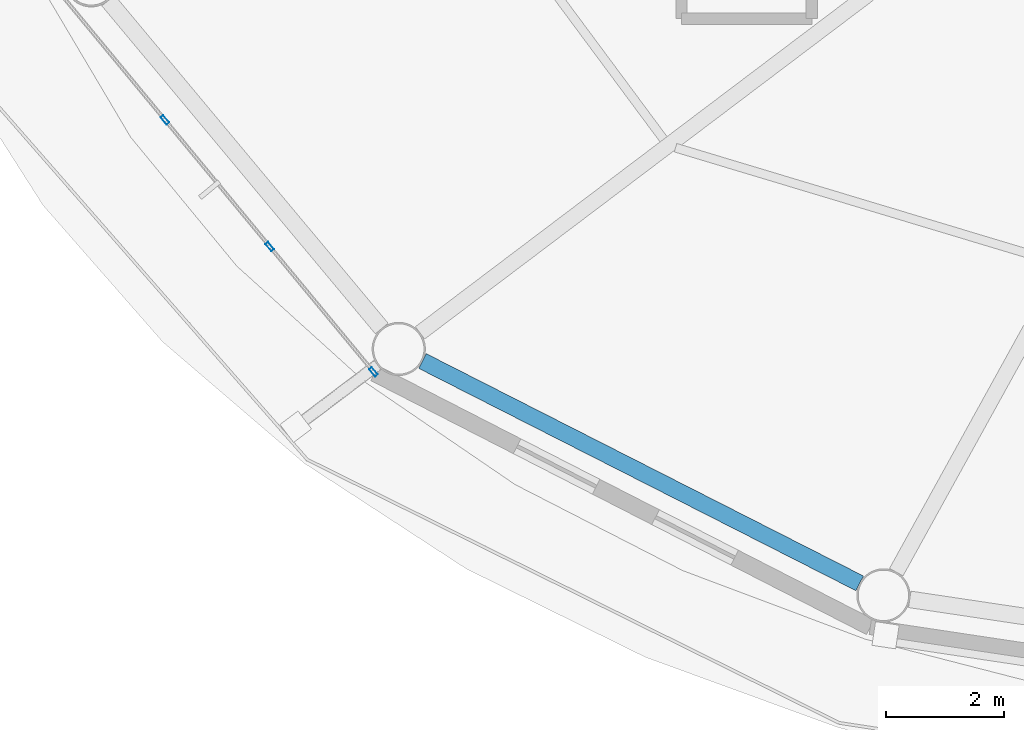
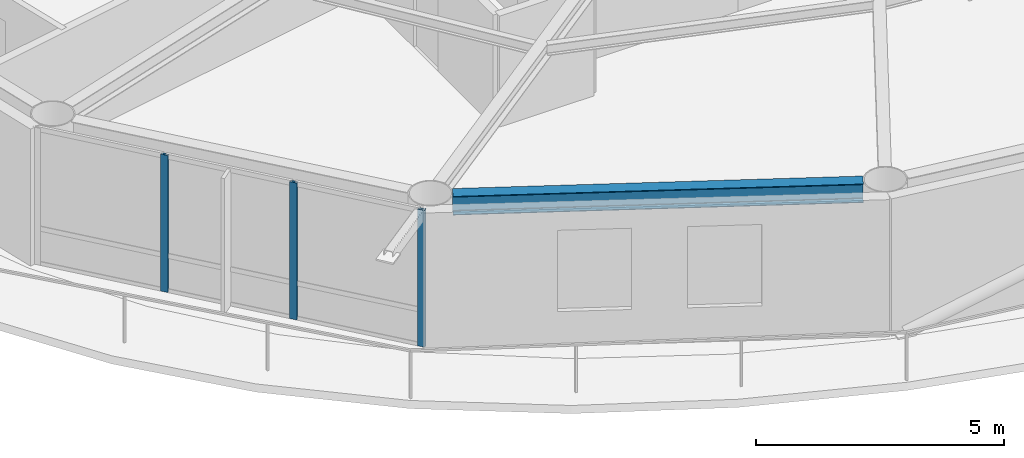
# One storey, part 2 of 21: 3 members, 1 beam, 1 element without a shape of its own.
"""IFC4 building model written with IfcOpenShell, lengths in metres."""

from ifc_helpers import new_model, si_unit, direction, frame, origin, origin_2d, place, context, subcontext, project, spatial, hollow_rectangle, i_section, extrude, material, layer, layer_set, material_profile, profile_set, type_object, element, aggregate, save


model = new_model("IFC4")

# Units and contexts
model_context = context("Model", 3, precision=1e-05, world=origin(), true_north=direction((0.0, 1.0)))
body_context = subcontext(model_context, "Body", "Model", "MODEL_VIEW")
ifc_project = project(units=[si_unit("LENGTHUNIT", "METRE"), si_unit("AREAUNIT", "SQUARE_METRE"), si_unit("VOLUMEUNIT", "CUBIC_METRE"), si_unit("PLANEANGLEUNIT", "RADIAN"), si_unit("MASSUNIT", "GRAM", prefix="KILO")], contexts=[model_context])

# Site, building, storey
site_placement = place(None, origin())
site = spatial("IfcSite", under=ifc_project, at=site_placement, CompositionType="ELEMENT")
building_placement = place(site_placement, origin())
building = spatial("IfcBuilding", under=site, at=building_placement, Name="Sarneth Arch Tower", CompositionType="ELEMENT")
storey_placement = place(building_placement, frame((0.0, 0.0, 309.0)))
storey = spatial("IfcBuildingStorey", under=building, at=storey_placement, Name="L80", CompositionType="ELEMENT", Elevation=309.0)

# Beam
ifc_material_1 = material(Name="Steel S355", Category="steel")
ifc_material_profile_1 = material_profile(ifc_material_1, i_section(OverallWidth=0.280029296875, OverallDepth=0.462890625, WebThickness=0.0107421875, FlangeThickness=0.017333984375, FilletRadius=0.01806640625, at=origin_2d()), Name="W460x113")
ifc_profile_set_1 = profile_set([ifc_material_profile_1], Name="Steel S355")
beam_type = type_object("IfcBeamType", Name="BM-RAD-460A", PredefinedType="BEAM", material=ifc_profile_set_1)
beam_placement = place(storey_placement, frame((30.42578125, 28.219482421875, 3.138427734375), z_axis=(0.891376248079, -0.453264144138, 0.0), x_axis=(0.453264144138, 0.891376248079, 0.0)))
element("IfcBeam", 1, at=beam_placement, inside=storey, type_object=beam_type, Name="L80 Perimeter spandrel beam 11", PredefinedType="BEAM", context=body_context, shape_type="SweptSolid", body=[
    extrude(i_section(OverallWidth=0.280029296875, OverallDepth=0.462890625, WebThickness=0.0107421875, FlangeThickness=0.017333984375, FilletRadius=0.01806640625, at=origin_2d()), origin(), (0.0, 0.0, 1.0), 8.281982421875),
])

# Curtain wall, members
ifc_material_2 = material(Name="Anodised aluminium Type AA25 and solar-control low-e laminated IGU", Category="aluminium")
ifc_layer = layer(ifc_material_2, 0.179931640625)
ifc_layer_set = layer_set([ifc_layer], Name="Anodised aluminium Type AA25 and solar-control low-e laminated IGU")
curtain_wall_type = type_object("IfcCurtainWallType", Name="CW-RES-HIGH", PredefinedType="NOTDEFINED", material=ifc_layer_set)
curtain_wall_placement = place(storey_placement, origin())
curtain_wall = element("IfcCurtainWall", 2, at=curtain_wall_placement, inside=storey, type_object=curtain_wall_type, Name="L80 Unitised curtain wall facet 10", PredefinedType="NOTDEFINED")
ifc_material_3 = material(Name="Anodised Aluminium 6063-T6", Category="aluminium")
ifc_material_profile_2 = material_profile(ifc_material_3, hollow_rectangle(XDim=0.06005859375, YDim=0.159912109375, WallThickness=0.00390625, at=origin_2d()), Name="AL-MULL-160x60x4")
ifc_profile_set_2 = profile_set([ifc_material_profile_2], Name="Anodised Aluminium 6063-T6")
member_type = type_object("IfcMemberType", Name="CW-MULLION", PredefinedType="MULLION", material=ifc_profile_set_2)
member_1_placement = place(storey_placement, frame((26.07666015625, 32.29150390625, 0.0), z_axis=(0.0, 0.0, 1.0), x_axis=(0.770359245933, 0.637610094184, 0.0)))
member_1 = element("IfcMember", 3, at=member_1_placement, type_object=member_type, Name="CW-SYS-6 mullion 2", PredefinedType="MULLION", context=body_context, shape_type="SweptSolid", body=[
    extrude(hollow_rectangle(XDim=0.06005859375, YDim=0.159912109375, WallThickness=0.00390625, at=origin_2d()), origin(), (0.0, 0.0, 1.0), 3.3701171875),
])
member_2_placement = place(storey_placement, frame((27.84716796875, 30.15234375, 0.0), z_axis=(0.0, 0.0, 1.0), x_axis=(0.770359245933, 0.637610094184, 0.0)))
member_2 = element("IfcMember", 4, at=member_2_placement, type_object=member_type, Name="CW-SYS-6 mullion 3", PredefinedType="MULLION", context=body_context, shape_type="SweptSolid", body=[
    extrude(hollow_rectangle(XDim=0.06005859375, YDim=0.159912109375, WallThickness=0.00390625, at=origin_2d()), origin(), (0.0, 0.0, 1.0), 3.3701171875),
])
member_3_placement = place(storey_placement, frame((29.598388671875, 28.03662109375, 0.0), z_axis=(0.0, 0.0, 1.0), x_axis=(0.770359245933, 0.637610094184, 0.0)))
member_3 = element("IfcMember", 5, at=member_3_placement, type_object=member_type, Name="CW-SYS-6 mullion 4", PredefinedType="MULLION", context=body_context, shape_type="SweptSolid", body=[
    extrude(hollow_rectangle(XDim=0.06005859375, YDim=0.159912109375, WallThickness=0.00390625, at=origin_2d()), origin(), (0.0, 0.0, 1.0), 3.3701171875),
])
aggregate(curtain_wall, [member_1, member_2, member_3])

save(model, "model.ifc")
